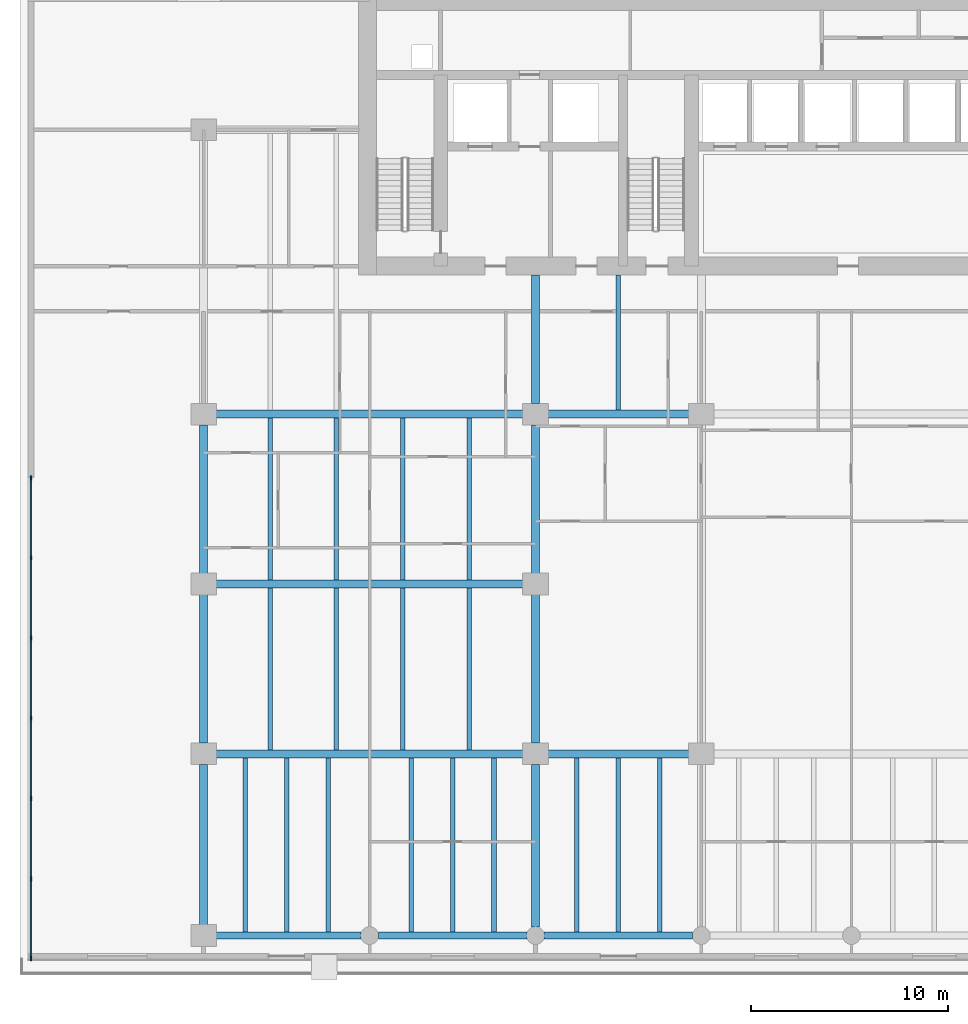
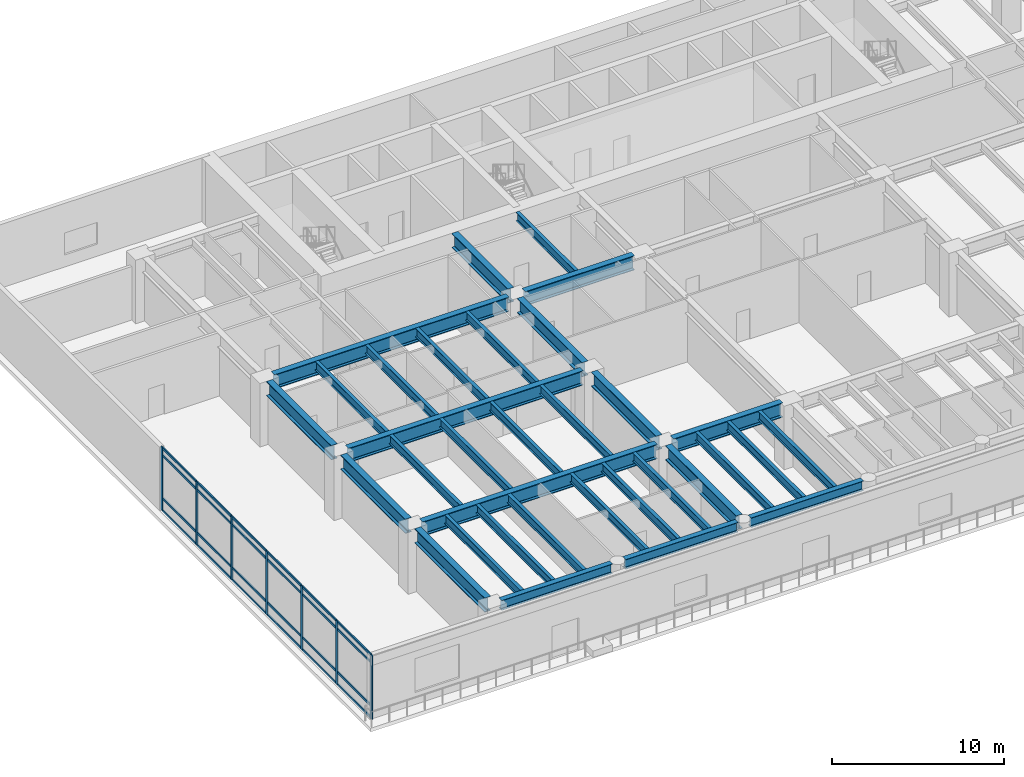
# One storey, part 2 of 14: 33 beams, 31 members, 1 element without a shape of its own.
"""IFC4 building model written with IfcOpenShell, lengths in metres."""

from ifc_helpers import new_model, si_unit, direction, frame, origin, origin_2d, place, context, subcontext, project, spatial, rectangle, i_section, extrude, material, layer, layer_set, material_profile, profile_set, type_object, element, aggregate, save


model = new_model("IFC4")

# Units and contexts
model_context = context("Model", 3, precision=1e-05, world=origin(), true_north=direction((0.0, 1.0)))
body_context = subcontext(model_context, "Body", "Model", "MODEL_VIEW")
ifc_project = project(units=[si_unit("LENGTHUNIT", "METRE"), si_unit("AREAUNIT", "SQUARE_METRE"), si_unit("VOLUMEUNIT", "CUBIC_METRE"), si_unit("PLANEANGLEUNIT", "RADIAN"), si_unit("MASSUNIT", "GRAM", prefix="KILO")], contexts=[model_context])

# Site, building, storey
site_placement = place(None, origin())
site = spatial("IfcSite", under=ifc_project, at=site_placement, CompositionType="ELEMENT")
building_placement = place(site_placement, origin())
building = spatial("IfcBuilding", under=site, at=building_placement, Name="Caelmar Bay Residences", CompositionType="ELEMENT")
storey_placement = place(building_placement, frame((0.0, 0.0, 15.0)))
storey = spatial("IfcBuildingStorey", under=building, at=storey_placement, Name="L03", CompositionType="ELEMENT", Elevation=15.0)

# Beams
ifc_material_1 = material(Name="Steel ASTM A992 Grade 50", Category="steel")
ifc_material_profile_1 = material_profile(ifc_material_1, i_section(OverallWidth=0.404052734375, OverallDepth=1.02099609375, WebThickness=0.025390625, FlangeThickness=0.0458984375, FilletRadius=0.02294921875, at=origin_2d()), Name="W40X324")
ifc_profile_set_1 = profile_set([ifc_material_profile_1], Name="Steel ASTM A992 Grade 50")
beam_type_1 = type_object("IfcBeamType", Name="BM-GRD-W40X324", PredefinedType="BEAM", material=ifc_profile_set_1)
beam_1_placement = place(storey_placement, frame((10.43994140625, 12.199951171875, 3.989501953125), z_axis=(1.0, 0.0, 0.0), x_axis=(0.0, 1.0, 0.0)))
element("IfcBeam", 1, at=beam_1_placement, inside=storey, type_object=beam_type_1, Name="L03 East-West Girder Y=12.20 (9.9-26.7)", PredefinedType="BEAM", context=body_context, shape_type="SweptSolid", body=[
    extrude(i_section(OverallWidth=0.404052734375, OverallDepth=1.02099609375, WebThickness=0.025390625, FlangeThickness=0.0458984375, FilletRadius=0.02294921875, at=origin_2d()), origin(), (0.0, 0.0, 1.0), 15.719970703125),
])
beam_2_placement = place(storey_placement, frame((27.239990234375, 12.199951171875, 3.989501953125), z_axis=(1.0, 0.0, 0.0), x_axis=(0.0, 1.0, 0.0)))
element("IfcBeam", 2, at=beam_2_placement, inside=storey, type_object=beam_type_1, Name="L03 East-West Girder Y=12.20 (26.7-35.1)", PredefinedType="BEAM", context=body_context, shape_type="SweptSolid", body=[
    extrude(i_section(OverallWidth=0.404052734375, OverallDepth=1.02099609375, WebThickness=0.025390625, FlangeThickness=0.0458984375, FilletRadius=0.02294921875, at=origin_2d()), origin(), (0.0, 0.0, 1.0), 7.320068359375),
])
for number, where, z_axis, x_axis, name in (
    (3, (10.43994140625, 20.800048828125, 3.989501953125), (1.0, 0.0, 0.0), (0.0, 1.0, 0.0), "L03 East-West Girder Y=20.80 (9.9-26.7)"),
    (4, (10.43994140625, 29.39990234375, 3.989501953125), (1.0, 0.0, 0.0), (0.0, 1.0, 0.0), "L03 East-West Girder Y=29.40 (9.9-26.7)"),
):
    element("IfcBeam", number, at=place(storey_placement, frame(where, z_axis=z_axis, x_axis=x_axis)), inside=storey, type_object=beam_type_1, Name=name, PredefinedType="BEAM", context=body_context, shape_type="SweptSolid", body=[
        extrude(i_section(OverallWidth=0.404052734375, OverallDepth=1.02099609375, WebThickness=0.025390625, FlangeThickness=0.0458984375, FilletRadius=0.02294921875, at=origin_2d()), origin(), (0.0, 0.0, 1.0), 15.719970703125),
    ])
beam_3_placement = place(storey_placement, frame((27.239990234375, 29.39990234375, 3.989501953125), z_axis=(1.0, 0.0, 0.0), x_axis=(0.0, 1.0, 0.0)))
element("IfcBeam", 5, at=beam_3_placement, inside=storey, type_object=beam_type_1, Name="L03 East-West Girder Y=29.40 (26.7-35.1)", PredefinedType="BEAM", context=body_context, shape_type="SweptSolid", body=[
    extrude(i_section(OverallWidth=0.404052734375, OverallDepth=1.02099609375, WebThickness=0.025390625, FlangeThickness=0.0458984375, FilletRadius=0.02294921875, at=origin_2d()), origin(), (0.0, 0.0, 1.0), 7.320068359375),
])
beam_4_placement = place(storey_placement, frame((9.89990234375, 3.5400390625, 3.989501953125), z_axis=(0.0, 1.0, 0.0), x_axis=(-1.0, 0.0, 0.0)))
element("IfcBeam", 6, at=beam_4_placement, inside=storey, type_object=beam_type_1, Name="L03 North-South Girder X=9.90 (3.0-12.2)", PredefinedType="BEAM", context=body_context, shape_type="SweptSolid", body=[
    extrude(i_section(OverallWidth=0.404052734375, OverallDepth=1.02099609375, WebThickness=0.025390625, FlangeThickness=0.0458984375, FilletRadius=0.02294921875, at=origin_2d()), origin(), (0.0, 0.0, 1.0), 8.119873046875),
])
for number, where, z_axis, x_axis, name in (
    (7, (9.89990234375, 12.739990234375, 3.989501953125), (0.0, 1.0, 0.0), (-1.0, 0.0, 0.0), "L03 North-South Girder X=9.90 (12.2-20.8)"),
    (8, (9.89990234375, 21.340087890625, 3.989501953125), (0.0, 1.0, 0.0), (-1.0, 0.0, 0.0), "L03 North-South Girder X=9.90 (20.8-29.4)"),
):
    element("IfcBeam", number, at=place(storey_placement, frame(where, z_axis=z_axis, x_axis=x_axis)), inside=storey, type_object=beam_type_1, Name=name, PredefinedType="BEAM", context=body_context, shape_type="SweptSolid", body=[
        extrude(i_section(OverallWidth=0.404052734375, OverallDepth=1.02099609375, WebThickness=0.025390625, FlangeThickness=0.0458984375, FilletRadius=0.02294921875, at=origin_2d()), origin(), (0.0, 0.0, 1.0), 7.52001953125),
    ])
beam_5_placement = place(storey_placement, frame((26.699951171875, 29.93994140625, 3.989501953125), z_axis=(0.0, 1.0, 0.0), x_axis=(-1.0, 0.0, 0.0)))
element("IfcBeam", 9, at=beam_5_placement, inside=storey, type_object=beam_type_1, Name="L03 Core Tie Girder X=26.70", PredefinedType="BEAM", context=body_context, shape_type="SweptSolid", body=[
    extrude(i_section(OverallWidth=0.404052734375, OverallDepth=1.02099609375, WebThickness=0.025390625, FlangeThickness=0.0458984375, FilletRadius=0.02294921875, at=origin_2d()), origin(), (0.0, 0.0, 1.0), 6.510009765625),
])
beam_6_placement = place(storey_placement, frame((26.699951171875, 3.43994140625, 3.989501953125), z_axis=(0.0, 1.0, 0.0), x_axis=(-1.0, 0.0, 0.0)))
element("IfcBeam", 10, at=beam_6_placement, inside=storey, type_object=beam_type_1, Name="L03 North-South Girder X=26.70 (3.0-12.2)", PredefinedType="BEAM", context=body_context, shape_type="SweptSolid", body=[
    extrude(i_section(OverallWidth=0.404052734375, OverallDepth=1.02099609375, WebThickness=0.025390625, FlangeThickness=0.0458984375, FilletRadius=0.02294921875, at=origin_2d()), origin(), (0.0, 0.0, 1.0), 8.219970703125),
])
for number, where, z_axis, x_axis, name in (
    (11, (26.699951171875, 12.739990234375, 3.989501953125), (0.0, 1.0, 0.0), (-1.0, 0.0, 0.0), "L03 North-South Girder X=26.70 (12.2-20.8)"),
    (12, (26.699951171875, 21.340087890625, 3.989501953125), (0.0, 1.0, 0.0), (-1.0, 0.0, 0.0), "L03 North-South Girder X=26.70 (20.8-29.4)"),
):
    element("IfcBeam", number, at=place(storey_placement, frame(where, z_axis=z_axis, x_axis=x_axis)), inside=storey, type_object=beam_type_1, Name=name, PredefinedType="BEAM", context=body_context, shape_type="SweptSolid", body=[
        extrude(i_section(OverallWidth=0.404052734375, OverallDepth=1.02099609375, WebThickness=0.025390625, FlangeThickness=0.0458984375, FilletRadius=0.02294921875, at=origin_2d()), origin(), (0.0, 0.0, 1.0), 7.52001953125),
    ])
ifc_material_profile_2 = material_profile(ifc_material_1, i_section(OverallWidth=0.22900390625, OverallDepth=0.612060546875, WebThickness=0.011962890625, FlangeThickness=0.01953125, FilletRadius=0.0126953125, at=origin_2d()), Name="W24X84")
ifc_profile_set_2 = profile_set([ifc_material_profile_2], Name="Steel ASTM A992 Grade 50")
beam_type_2 = type_object("IfcBeamType", Name="BM-JST-W24X84", PredefinedType="JOIST", material=ifc_profile_set_2)
for number, where, z_axis, x_axis, name in (
    (13, (12.0, 3.177978515625, 4.194091796875), (0.0, 1.0, 0.0), (-1.0, 0.0, 0.0), "L03 Composite Floor Joist 1"),
    (14, (14.10009765625, 3.177978515625, 4.194091796875), (0.0, 1.0, 0.0), (-1.0, 0.0, 0.0), "L03 Composite Floor Joist 2"),
    (15, (16.199951171875, 3.177978515625, 4.194091796875), (0.0, 1.0, 0.0), (-1.0, 0.0, 0.0), "L03 Composite Floor Joist 3"),
    (16, (20.39990234375, 3.177978515625, 4.194091796875), (0.0, 1.0, 0.0), (-1.0, 0.0, 0.0), "L03 Composite Floor Joist 4"),
    (17, (22.5, 3.177978515625, 4.194091796875), (0.0, 1.0, 0.0), (-1.0, 0.0, 0.0), "L03 Composite Floor Joist 5"),
    (18, (24.60009765625, 3.177978515625, 4.194091796875), (0.0, 1.0, 0.0), (-1.0, 0.0, 0.0), "L03 Composite Floor Joist 6"),
    (19, (28.800048828125, 3.177978515625, 4.194091796875), (0.0, 1.0, 0.0), (-1.0, 0.0, 0.0), "L03 Composite Floor Joist 7"),
    (20, (30.89990234375, 3.177978515625, 4.194091796875), (0.0, 1.0, 0.0), (-1.0, 0.0, 0.0), "L03 Composite Floor Joist 8"),
    (21, (33.0, 3.177978515625, 4.194091796875), (0.0, 1.0, 0.0), (-1.0, 0.0, 0.0), "L03 Composite Floor Joist 9"),
):
    element("IfcBeam", number, at=place(storey_placement, frame(where, z_axis=z_axis, x_axis=x_axis)), inside=storey, type_object=beam_type_2, Name=name, PredefinedType="JOIST", context=body_context, shape_type="SweptSolid", body=[
        extrude(i_section(OverallWidth=0.22900390625, OverallDepth=0.612060546875, WebThickness=0.011962890625, FlangeThickness=0.01953125, FilletRadius=0.0126953125, at=origin_2d()), origin(), (0.0, 0.0, 1.0), 8.820068359375),
    ])
for number, where, z_axis, x_axis, name in (
    (22, (13.260009765625, 12.402099609375, 4.194091796875), (0.0, 1.0, 0.0), (-1.0, 0.0, 0.0), "L03 Composite Floor Joist 22"),
    (23, (16.6201171875, 12.402099609375, 4.194091796875), (0.0, 1.0, 0.0), (-1.0, 0.0, 0.0), "L03 Composite Floor Joist 23"),
    (24, (19.97998046875, 12.402099609375, 4.194091796875), (0.0, 1.0, 0.0), (-1.0, 0.0, 0.0), "L03 Composite Floor Joist 24"),
    (25, (23.340087890625, 12.402099609375, 4.194091796875), (0.0, 1.0, 0.0), (-1.0, 0.0, 0.0), "L03 Composite Floor Joist 25"),
):
    element("IfcBeam", number, at=place(storey_placement, frame(where, z_axis=z_axis, x_axis=x_axis)), inside=storey, type_object=beam_type_2, Name=name, PredefinedType="JOIST", context=body_context, shape_type="SweptSolid", body=[
        extrude(i_section(OverallWidth=0.22900390625, OverallDepth=0.612060546875, WebThickness=0.011962890625, FlangeThickness=0.01953125, FilletRadius=0.0126953125, at=origin_2d()), origin(), (0.0, 0.0, 1.0), 8.19580078125),
    ])
for number, where, z_axis, x_axis, name in (
    (26, (13.260009765625, 21.001953125, 4.194091796875), (0.0, 1.0, 0.0), (-1.0, 0.0, 0.0), "L03 Composite Floor Joist 30"),
    (27, (16.6201171875, 21.001953125, 4.194091796875), (0.0, 1.0, 0.0), (-1.0, 0.0, 0.0), "L03 Composite Floor Joist 31"),
    (28, (19.97998046875, 21.001953125, 4.194091796875), (0.0, 1.0, 0.0), (-1.0, 0.0, 0.0), "L03 Composite Floor Joist 32"),
    (29, (23.340087890625, 21.001953125, 4.194091796875), (0.0, 1.0, 0.0), (-1.0, 0.0, 0.0), "L03 Composite Floor Joist 33"),
):
    element("IfcBeam", number, at=place(storey_placement, frame(where, z_axis=z_axis, x_axis=x_axis)), inside=storey, type_object=beam_type_2, Name=name, PredefinedType="JOIST", context=body_context, shape_type="SweptSolid", body=[
        extrude(i_section(OverallWidth=0.22900390625, OverallDepth=0.612060546875, WebThickness=0.011962890625, FlangeThickness=0.01953125, FilletRadius=0.0126953125, at=origin_2d()), origin(), (0.0, 0.0, 1.0), 8.196044921875),
    ])
beam_7_placement = place(storey_placement, frame((30.89990234375, 29.60205078125, 4.194091796875), z_axis=(0.0, 1.0, 0.0), x_axis=(-1.0, 0.0, 0.0)))
element("IfcBeam", 30, at=beam_7_placement, inside=storey, type_object=beam_type_2, Name="L03 Core-Band Composite Joist 38", PredefinedType="JOIST", context=body_context, shape_type="SweptSolid", body=[
    extrude(i_section(OverallWidth=0.22900390625, OverallDepth=0.612060546875, WebThickness=0.011962890625, FlangeThickness=0.01953125, FilletRadius=0.0126953125, at=origin_2d()), origin(), (0.0, 0.0, 1.0), 6.847900390625),
])
ifc_material_profile_3 = material_profile(ifc_material_1, i_section(OverallWidth=0.35595703125, OverallDepth=0.696044921875, WebThickness=0.015380859375, FlangeThickness=0.02490234375, FilletRadius=0.01513671875, at=origin_2d()), Name="W27X146")
ifc_profile_set_3 = profile_set([ifc_material_profile_3], Name="Steel ASTM A992 Grade 50")
beam_type_3 = type_object("IfcBeamType", Name="BM-SPN-W27X146", PredefinedType="SPANDREL", material=ifc_profile_set_3)
beam_8_placement = place(storey_placement, frame((10.43994140625, 3.0, 4.152099609375), z_axis=(1.0, 0.0, 0.0), x_axis=(0.0, 1.0, 0.0)))
element("IfcBeam", 31, at=beam_8_placement, inside=storey, type_object=beam_type_3, Name="L03 East-West Girder Y=3.00 (9.9-18.3)", PredefinedType="SPANDREL", context=body_context, shape_type="SweptSolid", body=[
    extrude(i_section(OverallWidth=0.35595703125, OverallDepth=0.696044921875, WebThickness=0.015380859375, FlangeThickness=0.02490234375, FilletRadius=0.01513671875, at=origin_2d()), origin(), (0.0, 0.0, 1.0), 7.420166015625),
])
for number, where, z_axis, x_axis, name in (
    (32, (18.739990234375, 3.0, 4.152099609375), (1.0, 0.0, 0.0), (0.0, 1.0, 0.0), "L03 East-West Girder Y=3.00 (18.3-26.7)"),
    (33, (27.139892578125, 3.0, 4.152099609375), (1.0, 0.0, 0.0), (0.0, 1.0, 0.0), "L03 East-West Girder Y=3.00 (26.7-35.1)"),
):
    element("IfcBeam", number, at=place(storey_placement, frame(where, z_axis=z_axis, x_axis=x_axis)), inside=storey, type_object=beam_type_3, Name=name, PredefinedType="SPANDREL", context=body_context, shape_type="SweptSolid", body=[
        extrude(i_section(OverallWidth=0.35595703125, OverallDepth=0.696044921875, WebThickness=0.015380859375, FlangeThickness=0.02490234375, FilletRadius=0.01513671875, at=origin_2d()), origin(), (0.0, 0.0, 1.0), 7.52001953125),
    ])

# Curtain wall, members
ifc_material_2 = material(Name="Anodised bronze aluminium 6063-T6 and laminated glass", Category="aluminium")
ifc_layer = layer(ifc_material_2, 0.179931640625)
ifc_layer_set = layer_set([ifc_layer], Name="Anodised bronze aluminium 6063-T6 and laminated glass")
curtain_wall_type = type_object("IfcCurtainWallType", Name="CW1-POD", PredefinedType="NOTDEFINED", material=ifc_layer_set)
curtain_wall_placement = place(storey_placement, origin())
curtain_wall = element("IfcCurtainWall", 34, at=curtain_wall_placement, inside=storey, type_object=curtain_wall_type, Name="CW1 curtain wall L03", PredefinedType="NOTDEFINED")
ifc_material_3 = material(Name="Anodised bronze aluminium 6063-T6", Category="aluminium")
ifc_material_profile_4 = material_profile(ifc_material_3, rectangle(XDim=0.080078125, YDim=0.219970703125, at=origin_2d()), Name="CWM-80X220")
ifc_profile_set_4 = profile_set([ifc_material_profile_4], Name="Anodised bronze aluminium 6063-T6")
member_type_1 = type_object("IfcMemberType", Name="CWM-220", PredefinedType="MULLION", material=ifc_profile_set_4)
member_1_placement = place(storey_placement, frame((1.14990234375, 1.840087890625, 0.0), z_axis=(0.0, 0.0, 1.0), x_axis=(-1.0, 0.0, 0.0)))
member_1 = element("IfcMember", 35, at=member_1_placement, type_object=member_type_1, Name="CW1 mullion 1", PredefinedType="MULLION", context=body_context, shape_type="SweptSolid", body=[
    extrude(rectangle(XDim=0.080078125, YDim=0.219970703125, at=origin_2d()), origin(), (0.0, 0.0, 1.0), 4.5),
])
member_2_placement = place(storey_placement, frame((1.14990234375, 5.86669921875, 0.0), z_axis=(0.0, 0.0, 1.0), x_axis=(-1.0, 0.0, 0.0)))
member_2 = element("IfcMember", 36, at=member_2_placement, type_object=member_type_1, Name="CW1 mullion 2", PredefinedType="MULLION", context=body_context, shape_type="SweptSolid", body=[
    extrude(rectangle(XDim=0.080078125, YDim=0.219970703125, at=origin_2d()), origin(), (0.0, 0.0, 1.0), 4.5),
])
member_3_placement = place(storey_placement, frame((1.14990234375, 9.933349609375, 0.0), z_axis=(0.0, 0.0, 1.0), x_axis=(-1.0, 0.0, 0.0)))
member_3 = element("IfcMember", 37, at=member_3_placement, type_object=member_type_1, Name="CW1 mullion 3", PredefinedType="MULLION", context=body_context, shape_type="SweptSolid", body=[
    extrude(rectangle(XDim=0.080078125, YDim=0.219970703125, at=origin_2d()), origin(), (0.0, 0.0, 1.0), 4.5),
])
member_4_placement = place(storey_placement, frame((1.14990234375, 14.0, 0.0), z_axis=(0.0, 0.0, 1.0), x_axis=(-1.0, 0.0, 0.0)))
member_4 = element("IfcMember", 38, at=member_4_placement, type_object=member_type_1, Name="CW1 mullion 4", PredefinedType="MULLION", context=body_context, shape_type="SweptSolid", body=[
    extrude(rectangle(XDim=0.080078125, YDim=0.219970703125, at=origin_2d()), origin(), (0.0, 0.0, 1.0), 4.5),
])
member_5_placement = place(storey_placement, frame((1.14990234375, 18.066650390625, 0.0), z_axis=(0.0, 0.0, 1.0), x_axis=(-1.0, 0.0, 0.0)))
member_5 = element("IfcMember", 39, at=member_5_placement, type_object=member_type_1, Name="CW1 mullion 5", PredefinedType="MULLION", context=body_context, shape_type="SweptSolid", body=[
    extrude(rectangle(XDim=0.080078125, YDim=0.219970703125, at=origin_2d()), origin(), (0.0, 0.0, 1.0), 4.5),
])
member_6_placement = place(storey_placement, frame((1.14990234375, 22.13330078125, 0.0), z_axis=(0.0, 0.0, 1.0), x_axis=(-1.0, 0.0, 0.0)))
member_6 = element("IfcMember", 40, at=member_6_placement, type_object=member_type_1, Name="CW1 mullion 6", PredefinedType="MULLION", context=body_context, shape_type="SweptSolid", body=[
    extrude(rectangle(XDim=0.080078125, YDim=0.219970703125, at=origin_2d()), origin(), (0.0, 0.0, 1.0), 4.5),
])
member_7_placement = place(storey_placement, frame((1.14990234375, 26.159912109375, 0.0), z_axis=(0.0, 0.0, 1.0), x_axis=(-1.0, 0.0, 0.0)))
member_7 = element("IfcMember", 41, at=member_7_placement, type_object=member_type_1, Name="CW1 mullion 7", PredefinedType="MULLION", context=body_context, shape_type="SweptSolid", body=[
    extrude(rectangle(XDim=0.080078125, YDim=0.219970703125, at=origin_2d()), origin(), (0.0, 0.0, 1.0), 4.5),
])
ifc_material_profile_5 = material_profile(ifc_material_3, rectangle(XDim=0.080078125, YDim=0.159912109375, at=origin_2d()), Name="CWT-80X160")
ifc_profile_set_5 = profile_set([ifc_material_profile_5], Name="Anodised bronze aluminium 6063-T6")
member_type_2 = type_object("IfcMemberType", Name="CWT-160", PredefinedType="NOTDEFINED", material=ifc_profile_set_5)
member_8_placement = place(storey_placement, frame((1.14990234375, 1.8798828125, 0.0400390625), z_axis=(0.0, 1.0, 0.0), x_axis=(-1.0, 0.0, 0.0)))
member_8 = element("IfcMember", 42, at=member_8_placement, type_object=member_type_2, Name="CW1 transom 1.1", ObjectType="TRANSOM", PredefinedType="USERDEFINED", context=body_context, shape_type="SweptSolid", body=[
    extrude(rectangle(XDim=0.080078125, YDim=0.159912109375, at=origin_2d()), origin(), (0.0, 0.0, 1.0), 3.94677734375),
])
member_9_placement = place(storey_placement, frame((1.14990234375, 1.8798828125, 0.89990234375), z_axis=(0.0, 1.0, 0.0), x_axis=(-1.0, 0.0, 0.0)))
member_9 = element("IfcMember", 43, at=member_9_placement, type_object=member_type_2, Name="CW1 transom 1.2", ObjectType="TRANSOM", PredefinedType="USERDEFINED", context=body_context, shape_type="SweptSolid", body=[
    extrude(rectangle(XDim=0.080078125, YDim=0.159912109375, at=origin_2d()), origin(), (0.0, 0.0, 1.0), 3.94677734375),
])
member_10_placement = place(storey_placement, frame((1.14990234375, 1.8798828125, 3.949951171875), z_axis=(0.0, 1.0, 0.0), x_axis=(-1.0, 0.0, 0.0)))
member_10 = element("IfcMember", 44, at=member_10_placement, type_object=member_type_2, Name="CW1 transom 1.3", ObjectType="TRANSOM", PredefinedType="USERDEFINED", context=body_context, shape_type="SweptSolid", body=[
    extrude(rectangle(XDim=0.080078125, YDim=0.159912109375, at=origin_2d()), origin(), (0.0, 0.0, 1.0), 3.94677734375),
])
member_11_placement = place(storey_placement, frame((1.14990234375, 1.8798828125, 4.4599609375), z_axis=(0.0, 1.0, 0.0), x_axis=(-1.0, 0.0, 0.0)))
member_11 = element("IfcMember", 45, at=member_11_placement, type_object=member_type_2, Name="CW1 transom 1.4", ObjectType="TRANSOM", PredefinedType="USERDEFINED", context=body_context, shape_type="SweptSolid", body=[
    extrude(rectangle(XDim=0.080078125, YDim=0.159912109375, at=origin_2d()), origin(), (0.0, 0.0, 1.0), 3.94677734375),
])
member_12_placement = place(storey_placement, frame((1.14990234375, 5.90673828125, 0.0400390625), z_axis=(0.0, 1.0, 0.0), x_axis=(-1.0, 0.0, 0.0)))
member_12 = element("IfcMember", 46, at=member_12_placement, type_object=member_type_2, Name="CW1 transom 2.1", ObjectType="TRANSOM", PredefinedType="USERDEFINED", context=body_context, shape_type="SweptSolid", body=[
    extrude(rectangle(XDim=0.080078125, YDim=0.159912109375, at=origin_2d()), origin(), (0.0, 0.0, 1.0), 3.986572265625),
])
member_13_placement = place(storey_placement, frame((1.14990234375, 5.90673828125, 0.89990234375), z_axis=(0.0, 1.0, 0.0), x_axis=(-1.0, 0.0, 0.0)))
member_13 = element("IfcMember", 47, at=member_13_placement, type_object=member_type_2, Name="CW1 transom 2.2", ObjectType="TRANSOM", PredefinedType="USERDEFINED", context=body_context, shape_type="SweptSolid", body=[
    extrude(rectangle(XDim=0.080078125, YDim=0.159912109375, at=origin_2d()), origin(), (0.0, 0.0, 1.0), 3.986572265625),
])
member_14_placement = place(storey_placement, frame((1.14990234375, 5.90673828125, 3.949951171875), z_axis=(0.0, 1.0, 0.0), x_axis=(-1.0, 0.0, 0.0)))
member_14 = element("IfcMember", 48, at=member_14_placement, type_object=member_type_2, Name="CW1 transom 2.3", ObjectType="TRANSOM", PredefinedType="USERDEFINED", context=body_context, shape_type="SweptSolid", body=[
    extrude(rectangle(XDim=0.080078125, YDim=0.159912109375, at=origin_2d()), origin(), (0.0, 0.0, 1.0), 3.986572265625),
])
member_15_placement = place(storey_placement, frame((1.14990234375, 5.90673828125, 4.4599609375), z_axis=(0.0, 1.0, 0.0), x_axis=(-1.0, 0.0, 0.0)))
member_15 = element("IfcMember", 49, at=member_15_placement, type_object=member_type_2, Name="CW1 transom 2.4", ObjectType="TRANSOM", PredefinedType="USERDEFINED", context=body_context, shape_type="SweptSolid", body=[
    extrude(rectangle(XDim=0.080078125, YDim=0.159912109375, at=origin_2d()), origin(), (0.0, 0.0, 1.0), 3.986572265625),
])
member_16_placement = place(storey_placement, frame((1.14990234375, 9.973388671875, 0.0400390625), z_axis=(0.0, 1.0, 0.0), x_axis=(-1.0, 0.0, 0.0)))
member_16 = element("IfcMember", 50, at=member_16_placement, type_object=member_type_2, Name="CW1 transom 3.1", ObjectType="TRANSOM", PredefinedType="USERDEFINED", context=body_context, shape_type="SweptSolid", body=[
    extrude(rectangle(XDim=0.080078125, YDim=0.159912109375, at=origin_2d()), origin(), (0.0, 0.0, 1.0), 3.986572265625),
])
member_17_placement = place(storey_placement, frame((1.14990234375, 9.973388671875, 0.89990234375), z_axis=(0.0, 1.0, 0.0), x_axis=(-1.0, 0.0, 0.0)))
member_17 = element("IfcMember", 51, at=member_17_placement, type_object=member_type_2, Name="CW1 transom 3.2", ObjectType="TRANSOM", PredefinedType="USERDEFINED", context=body_context, shape_type="SweptSolid", body=[
    extrude(rectangle(XDim=0.080078125, YDim=0.159912109375, at=origin_2d()), origin(), (0.0, 0.0, 1.0), 3.986572265625),
])
member_18_placement = place(storey_placement, frame((1.14990234375, 9.973388671875, 3.949951171875), z_axis=(0.0, 1.0, 0.0), x_axis=(-1.0, 0.0, 0.0)))
member_18 = element("IfcMember", 52, at=member_18_placement, type_object=member_type_2, Name="CW1 transom 3.3", ObjectType="TRANSOM", PredefinedType="USERDEFINED", context=body_context, shape_type="SweptSolid", body=[
    extrude(rectangle(XDim=0.080078125, YDim=0.159912109375, at=origin_2d()), origin(), (0.0, 0.0, 1.0), 3.986572265625),
])
member_19_placement = place(storey_placement, frame((1.14990234375, 9.973388671875, 4.4599609375), z_axis=(0.0, 1.0, 0.0), x_axis=(-1.0, 0.0, 0.0)))
member_19 = element("IfcMember", 53, at=member_19_placement, type_object=member_type_2, Name="CW1 transom 3.4", ObjectType="TRANSOM", PredefinedType="USERDEFINED", context=body_context, shape_type="SweptSolid", body=[
    extrude(rectangle(XDim=0.080078125, YDim=0.159912109375, at=origin_2d()), origin(), (0.0, 0.0, 1.0), 3.986572265625),
])
member_20_placement = place(storey_placement, frame((1.14990234375, 14.0400390625, 0.0400390625), z_axis=(0.0, 1.0, 0.0), x_axis=(-1.0, 0.0, 0.0)))
member_20 = element("IfcMember", 54, at=member_20_placement, type_object=member_type_2, Name="CW1 transom 4.1", ObjectType="TRANSOM", PredefinedType="USERDEFINED", context=body_context, shape_type="SweptSolid", body=[
    extrude(rectangle(XDim=0.080078125, YDim=0.159912109375, at=origin_2d()), origin(), (0.0, 0.0, 1.0), 3.986572265625),
])
member_21_placement = place(storey_placement, frame((1.14990234375, 14.0400390625, 0.89990234375), z_axis=(0.0, 1.0, 0.0), x_axis=(-1.0, 0.0, 0.0)))
member_21 = element("IfcMember", 55, at=member_21_placement, type_object=member_type_2, Name="CW1 transom 4.2", ObjectType="TRANSOM", PredefinedType="USERDEFINED", context=body_context, shape_type="SweptSolid", body=[
    extrude(rectangle(XDim=0.080078125, YDim=0.159912109375, at=origin_2d()), origin(), (0.0, 0.0, 1.0), 3.986572265625),
])
member_22_placement = place(storey_placement, frame((1.14990234375, 14.0400390625, 3.949951171875), z_axis=(0.0, 1.0, 0.0), x_axis=(-1.0, 0.0, 0.0)))
member_22 = element("IfcMember", 56, at=member_22_placement, type_object=member_type_2, Name="CW1 transom 4.3", ObjectType="TRANSOM", PredefinedType="USERDEFINED", context=body_context, shape_type="SweptSolid", body=[
    extrude(rectangle(XDim=0.080078125, YDim=0.159912109375, at=origin_2d()), origin(), (0.0, 0.0, 1.0), 3.986572265625),
])
member_23_placement = place(storey_placement, frame((1.14990234375, 14.0400390625, 4.4599609375), z_axis=(0.0, 1.0, 0.0), x_axis=(-1.0, 0.0, 0.0)))
member_23 = element("IfcMember", 57, at=member_23_placement, type_object=member_type_2, Name="CW1 transom 4.4", ObjectType="TRANSOM", PredefinedType="USERDEFINED", context=body_context, shape_type="SweptSolid", body=[
    extrude(rectangle(XDim=0.080078125, YDim=0.159912109375, at=origin_2d()), origin(), (0.0, 0.0, 1.0), 3.986572265625),
])
member_24_placement = place(storey_placement, frame((1.14990234375, 18.106689453125, 0.0400390625), z_axis=(0.0, 1.0, 0.0), x_axis=(-1.0, 0.0, 0.0)))
member_24 = element("IfcMember", 58, at=member_24_placement, type_object=member_type_2, Name="CW1 transom 5.1", ObjectType="TRANSOM", PredefinedType="USERDEFINED", context=body_context, shape_type="SweptSolid", body=[
    extrude(rectangle(XDim=0.080078125, YDim=0.159912109375, at=origin_2d()), origin(), (0.0, 0.0, 1.0), 3.986572265625),
])
member_25_placement = place(storey_placement, frame((1.14990234375, 18.106689453125, 0.89990234375), z_axis=(0.0, 1.0, 0.0), x_axis=(-1.0, 0.0, 0.0)))
member_25 = element("IfcMember", 59, at=member_25_placement, type_object=member_type_2, Name="CW1 transom 5.2", ObjectType="TRANSOM", PredefinedType="USERDEFINED", context=body_context, shape_type="SweptSolid", body=[
    extrude(rectangle(XDim=0.080078125, YDim=0.159912109375, at=origin_2d()), origin(), (0.0, 0.0, 1.0), 3.986572265625),
])
member_26_placement = place(storey_placement, frame((1.14990234375, 18.106689453125, 3.949951171875), z_axis=(0.0, 1.0, 0.0), x_axis=(-1.0, 0.0, 0.0)))
member_26 = element("IfcMember", 60, at=member_26_placement, type_object=member_type_2, Name="CW1 transom 5.3", ObjectType="TRANSOM", PredefinedType="USERDEFINED", context=body_context, shape_type="SweptSolid", body=[
    extrude(rectangle(XDim=0.080078125, YDim=0.159912109375, at=origin_2d()), origin(), (0.0, 0.0, 1.0), 3.986572265625),
])
member_27_placement = place(storey_placement, frame((1.14990234375, 18.106689453125, 4.4599609375), z_axis=(0.0, 1.0, 0.0), x_axis=(-1.0, 0.0, 0.0)))
member_27 = element("IfcMember", 61, at=member_27_placement, type_object=member_type_2, Name="CW1 transom 5.4", ObjectType="TRANSOM", PredefinedType="USERDEFINED", context=body_context, shape_type="SweptSolid", body=[
    extrude(rectangle(XDim=0.080078125, YDim=0.159912109375, at=origin_2d()), origin(), (0.0, 0.0, 1.0), 3.986572265625),
])
member_28_placement = place(storey_placement, frame((1.14990234375, 22.17333984375, 0.0400390625), z_axis=(0.0, 1.0, 0.0), x_axis=(-1.0, 0.0, 0.0)))
member_28 = element("IfcMember", 62, at=member_28_placement, type_object=member_type_2, Name="CW1 transom 6.1", ObjectType="TRANSOM", PredefinedType="USERDEFINED", context=body_context, shape_type="SweptSolid", body=[
    extrude(rectangle(XDim=0.080078125, YDim=0.159912109375, at=origin_2d()), origin(), (0.0, 0.0, 1.0), 3.94677734375),
])
member_29_placement = place(storey_placement, frame((1.14990234375, 22.17333984375, 0.89990234375), z_axis=(0.0, 1.0, 0.0), x_axis=(-1.0, 0.0, 0.0)))
member_29 = element("IfcMember", 63, at=member_29_placement, type_object=member_type_2, Name="CW1 transom 6.2", ObjectType="TRANSOM", PredefinedType="USERDEFINED", context=body_context, shape_type="SweptSolid", body=[
    extrude(rectangle(XDim=0.080078125, YDim=0.159912109375, at=origin_2d()), origin(), (0.0, 0.0, 1.0), 3.94677734375),
])
member_30_placement = place(storey_placement, frame((1.14990234375, 22.17333984375, 3.949951171875), z_axis=(0.0, 1.0, 0.0), x_axis=(-1.0, 0.0, 0.0)))
member_30 = element("IfcMember", 64, at=member_30_placement, type_object=member_type_2, Name="CW1 transom 6.3", ObjectType="TRANSOM", PredefinedType="USERDEFINED", context=body_context, shape_type="SweptSolid", body=[
    extrude(rectangle(XDim=0.080078125, YDim=0.159912109375, at=origin_2d()), origin(), (0.0, 0.0, 1.0), 3.94677734375),
])
member_31_placement = place(storey_placement, frame((1.14990234375, 22.17333984375, 4.4599609375), z_axis=(0.0, 1.0, 0.0), x_axis=(-1.0, 0.0, 0.0)))
member_31 = element("IfcMember", 65, at=member_31_placement, type_object=member_type_2, Name="CW1 transom 6.4", ObjectType="TRANSOM", PredefinedType="USERDEFINED", context=body_context, shape_type="SweptSolid", body=[
    extrude(rectangle(XDim=0.080078125, YDim=0.159912109375, at=origin_2d()), origin(), (0.0, 0.0, 1.0), 3.94677734375),
])
aggregate(curtain_wall, [member_1, member_2, member_3, member_4, member_5, member_6, member_7, member_8, member_9, member_10, member_11, member_12, member_13, member_14, member_15, member_16, member_17, member_18, member_19, member_20, member_21, member_22, member_23, member_24, member_25, member_26, member_27, member_28, member_29, member_30, member_31])

save(model, "model.ifc")
